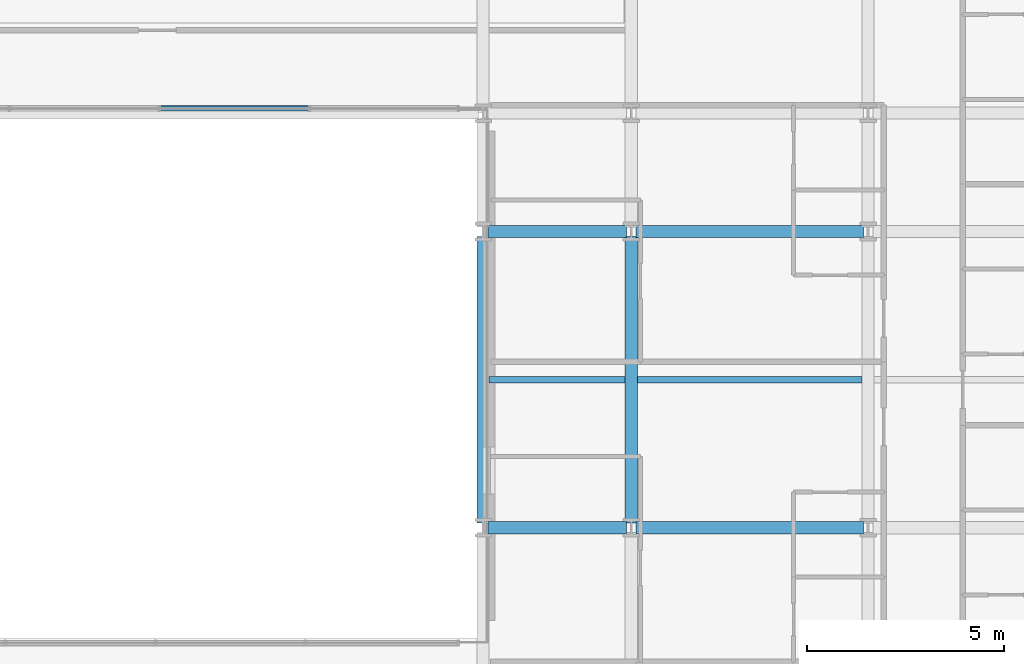
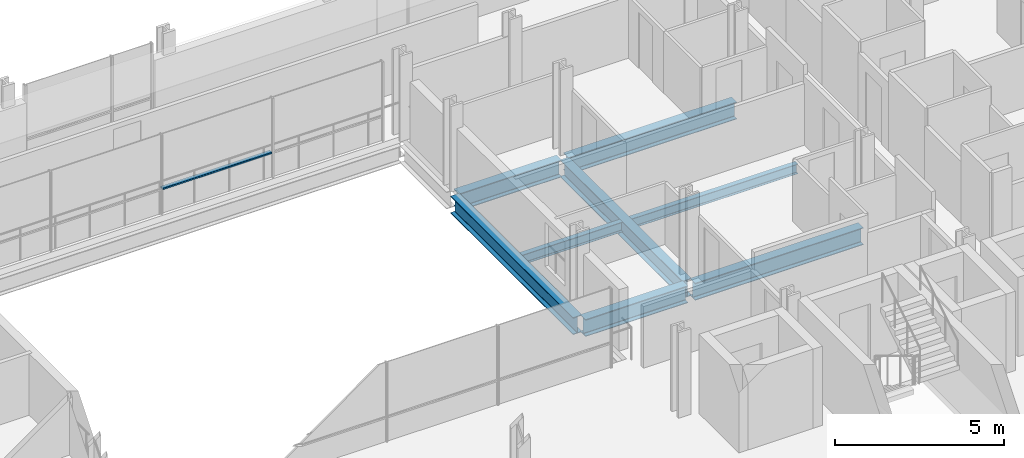
# One storey, part 16 of 39: 8 beams, 1 member, 1 element without a shape of its own.
"""IFC4 building model written with IfcOpenShell, lengths in metres."""

from ifc_helpers import new_model, si_unit, direction, frame, origin, origin_2d, place, context, subcontext, project, spatial, hollow_rectangle, i_section, extrude, material, layer, layer_set, material_profile, profile_set, type_object, element, aggregate, save


model = new_model("IFC4")

# Units and contexts
model_context = context("Model", 3, precision=1e-05, world=origin(), true_north=direction((0.0, 1.0)))
body_context = subcontext(model_context, "Body", "Model", "MODEL_VIEW")
ifc_project = project(units=[si_unit("LENGTHUNIT", "METRE"), si_unit("AREAUNIT", "SQUARE_METRE"), si_unit("VOLUMEUNIT", "CUBIC_METRE"), si_unit("PLANEANGLEUNIT", "RADIAN"), si_unit("MASSUNIT", "GRAM", prefix="KILO")], contexts=[model_context])

# Site, building, storey
site_placement = place(None, origin())
site = spatial("IfcSite", under=ifc_project, at=site_placement, CompositionType="ELEMENT")
building_placement = place(site_placement, origin())
building = spatial("IfcBuilding", under=site, at=building_placement, Name="Brevholm Reach", CompositionType="ELEMENT")
storey_placement = place(building_placement, frame((0.0, 0.0, 34.199951171875)))
storey = spatial("IfcBuildingStorey", under=building, at=storey_placement, Name="L08", CompositionType="ELEMENT", Elevation=34.199951171875)

# Beams
ifc_material_1 = material(Name="Structural Steel S355J2", Category="steel")
ifc_material_profile_1 = material_profile(ifc_material_1, i_section(OverallWidth=0.17138671875, OverallDepth=0.35498046875, WebThickness=0.00732421875, FlangeThickness=0.011474609375, FilletRadius=0.01025390625, at=origin_2d()), Name="UKB 356x171x51")
ifc_profile_set_1 = profile_set([ifc_material_profile_1], Name="Structural Steel S355J2")
beam_type_1 = type_object("IfcBeamType", Name="BM-B356", PredefinedType="BEAM", material=ifc_profile_set_1)
beam_1_placement = place(storey_placement, frame((38.403564453125, 19.75, -0.407470703125), z_axis=(1.0, 0.0, 0.0), x_axis=(0.0, 1.0, 0.0)))
element("IfcBeam", 1, at=beam_1_placement, inside=storey, type_object=beam_type_1, Name="L08 Composite Secondary Floor Beam", PredefinedType="BEAM", context=body_context, shape_type="SweptSolid", body=[
    extrude(i_section(OverallWidth=0.17138671875, OverallDepth=0.35498046875, WebThickness=0.00732421875, FlangeThickness=0.011474609375, FilletRadius=0.01025390625, at=origin_2d()), origin(), (0.0, 0.0, 1.0), 3.44287109375),
])
beam_2_placement = place(storey_placement, frame((42.153564453125, 19.75, -0.407470703125), z_axis=(1.0, 0.0, 0.0), x_axis=(0.0, 1.0, 0.0)))
element("IfcBeam", 2, at=beam_2_placement, inside=storey, type_object=beam_type_1, Name="L08 Composite Secondary Floor Beam", PredefinedType="BEAM", context=body_context, shape_type="SweptSolid", body=[
    extrude(i_section(OverallWidth=0.17138671875, OverallDepth=0.35498046875, WebThickness=0.00732421875, FlangeThickness=0.011474609375, FilletRadius=0.01025390625, at=origin_2d()), origin(), (0.0, 0.0, 1.0), 5.69287109375),
])
ifc_material_2 = material(Name="Structural Steel S355J2", Category="steel")
ifc_material_profile_2 = material_profile(ifc_material_2, i_section(OverallWidth=0.30712890625, OverallDepth=0.6201171875, WebThickness=0.01416015625, FlangeThickness=0.023681640625, FilletRadius=0.0166015625, at=origin_2d()), Name="UKB 610x305x179")
ifc_profile_set_2 = profile_set([ifc_material_profile_2], Name="Structural Steel S355J2")
beam_type_2 = type_object("IfcBeamType", Name="BM-UKB610H", PredefinedType="USERDEFINED", material=ifc_profile_set_2)
beam_3_placement = place(storey_placement, frame((38.3701171875, 16.0, -0.5400390625), z_axis=(1.0, 0.0, 0.0), x_axis=(0.0, 1.0, 0.0)))
element("IfcBeam", 3, at=beam_3_placement, inside=storey, type_object=beam_type_2, Name="L08 G-06 Framing Beam", ObjectType="GIRDER", PredefinedType="USERDEFINED", context=body_context, shape_type="SweptSolid", body=[
    extrude(i_section(OverallWidth=0.30712890625, OverallDepth=0.6201171875, WebThickness=0.01416015625, FlangeThickness=0.023681640625, FilletRadius=0.0166015625, at=origin_2d()), origin(), (0.0, 0.0, 1.0), 3.509765625),
])
beam_4_placement = place(storey_placement, frame((42.1201171875, 16.0, -0.5400390625), z_axis=(1.0, 0.0, 0.0), x_axis=(0.0, 1.0, 0.0)))
element("IfcBeam", 4, at=beam_4_placement, inside=storey, type_object=beam_type_2, Name="L08 G-06 Framing Beam", ObjectType="GIRDER", PredefinedType="USERDEFINED", context=body_context, shape_type="SweptSolid", body=[
    extrude(i_section(OverallWidth=0.30712890625, OverallDepth=0.6201171875, WebThickness=0.01416015625, FlangeThickness=0.023681640625, FilletRadius=0.0166015625, at=origin_2d()), origin(), (0.0, 0.0, 1.0), 5.759765625),
])
beam_5_placement = place(storey_placement, frame((38.3701171875, 23.5, -0.5400390625), z_axis=(1.0, 0.0, 0.0), x_axis=(0.0, 1.0, 0.0)))
element("IfcBeam", 5, at=beam_5_placement, inside=storey, type_object=beam_type_2, Name="L08 G-06 Framing Beam", ObjectType="GIRDER", PredefinedType="USERDEFINED", context=body_context, shape_type="SweptSolid", body=[
    extrude(i_section(OverallWidth=0.30712890625, OverallDepth=0.6201171875, WebThickness=0.01416015625, FlangeThickness=0.023681640625, FilletRadius=0.0166015625, at=origin_2d()), origin(), (0.0, 0.0, 1.0), 3.509765625),
])
beam_6_placement = place(storey_placement, frame((42.1201171875, 23.5, -0.5400390625), z_axis=(1.0, 0.0, 0.0), x_axis=(0.0, 1.0, 0.0)))
element("IfcBeam", 6, at=beam_6_placement, inside=storey, type_object=beam_type_2, Name="L08 G-06 Framing Beam", ObjectType="GIRDER", PredefinedType="USERDEFINED", context=body_context, shape_type="SweptSolid", body=[
    extrude(i_section(OverallWidth=0.30712890625, OverallDepth=0.6201171875, WebThickness=0.01416015625, FlangeThickness=0.023681640625, FilletRadius=0.0166015625, at=origin_2d()), origin(), (0.0, 0.0, 1.0), 5.759765625),
])
for number, where, z_axis, x_axis, name in (
    (7, (38.25, 16.1201171875, -0.5400390625), (0.0, 1.0, 0.0), (-1.0, 0.0, 0.0), "L08 G-06 Framing Beam"),
    (8, (42.0, 16.1201171875, -0.5400390625), (0.0, 1.0, 0.0), (-1.0, 0.0, 0.0), "L08 G-06 Framing Beam"),
):
    element("IfcBeam", number, at=place(storey_placement, frame(where, z_axis=z_axis, x_axis=x_axis)), inside=storey, type_object=beam_type_2, Name=name, ObjectType="GIRDER", PredefinedType="USERDEFINED", context=body_context, shape_type="SweptSolid", body=[
        extrude(i_section(OverallWidth=0.30712890625, OverallDepth=0.6201171875, WebThickness=0.01416015625, FlangeThickness=0.023681640625, FilletRadius=0.0166015625, at=origin_2d()), origin(), (0.0, 0.0, 1.0), 7.259765625),
    ])

# Curtain wall, member
ifc_material_3 = material(Name="Dark Anodised Aluminium 6063-T6 and Solar-Control Glass", Category="aluminium")
ifc_layer = layer(ifc_material_3, 0.139892578125)
ifc_layer_set = layer_set([ifc_layer], Name="Dark Anodised Aluminium 6063-T6 and Solar-Control Glass")
curtain_wall_type = type_object("IfcCurtainWallType", Name="CW-02", PredefinedType="NOTDEFINED", material=ifc_layer_set)
curtain_wall_placement = place(storey_placement, origin())
curtain_wall = element("IfcCurtainWall", 9, at=curtain_wall_placement, inside=storey, type_object=curtain_wall_type, Name="L08 Curtain Wall CW-02", PredefinedType="NOTDEFINED")
ifc_material_4 = material(Name="Dark Anodised Aluminium 6063-T6", Category="aluminium")
ifc_material_profile_3 = material_profile(ifc_material_4, hollow_rectangle(XDim=0.06005859375, YDim=0.139892578125, WallThickness=0.0048828125, InnerFilletRadius=0.0048828125, OuterFilletRadius=0.010009765625, at=origin_2d()), Name="RHS 140x60x5")
ifc_profile_set_3 = profile_set([ifc_material_profile_3], Name="Dark Anodised Aluminium 6063-T6")
member_type = type_object("IfcMemberType", Name="CWT-140", PredefinedType="NOTDEFINED", material=ifc_profile_set_3)
member_placement = place(storey_placement, frame((33.820068359375, 26.6201171875, 0.900146484375), z_axis=(-1.0, 0.0, 0.0), x_axis=(0.0, 0.0, 1.0)))
member = element("IfcMember", 10, at=member_placement, type_object=member_type, Name="CT-140 Transom 2.1", ObjectType="TRANSOM", PredefinedType="USERDEFINED", context=body_context, shape_type="SweptSolid", body=[
    extrude(hollow_rectangle(XDim=0.06005859375, YDim=0.139892578125, WallThickness=0.0048828125, InnerFilletRadius=0.0048828125, OuterFilletRadius=0.010009765625, at=origin_2d()), origin(), (0.0, 0.0, 1.0), 3.739990234375),
])
aggregate(curtain_wall, [member])

save(model, "model.ifc")
